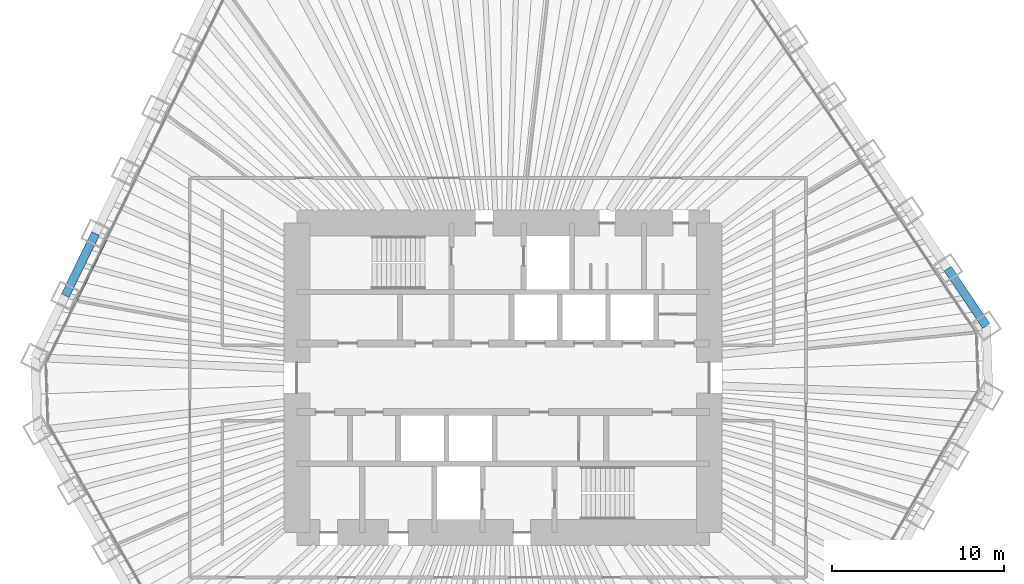
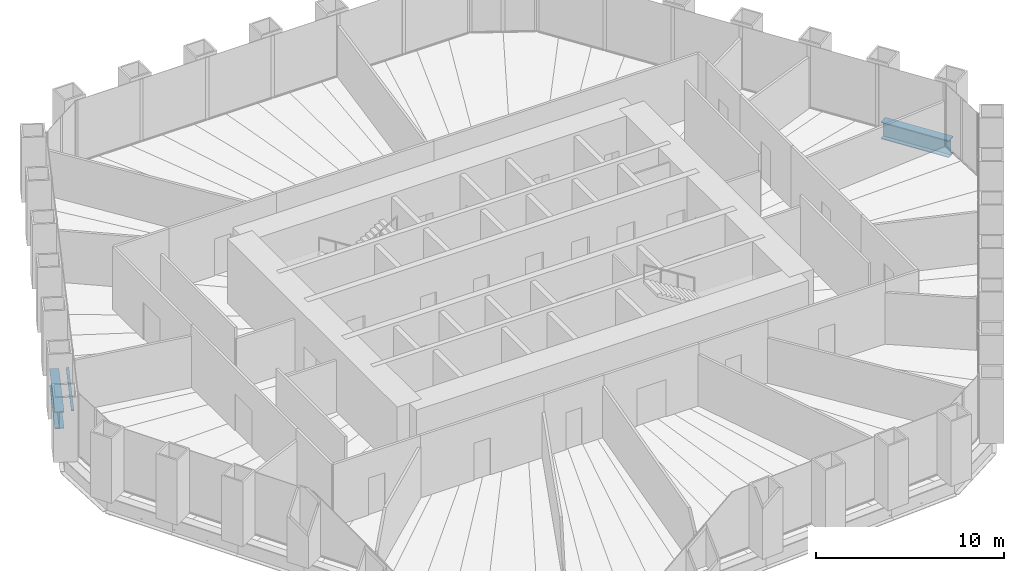
# One storey, part 5 of 13: 2 beams, 1 member, 1 element without a shape of its own.
"""IFC4 building model written with IfcOpenShell, lengths in metres."""

from ifc_helpers import new_model, si_unit, direction, frame, origin, origin_2d, place, context, subcontext, project, spatial, rectangle, i_section, extrude, material, material_profile, profile_set, type_object, element, aggregate, save


model = new_model("IFC4")

# Units and contexts
model_context = context("Model", 3, precision=1e-05, world=origin(), true_north=direction((0.0, 1.0)))
body_context = subcontext(model_context, "Body", "Model", "MODEL_VIEW")
ifc_project = project(units=[si_unit("LENGTHUNIT", "METRE"), si_unit("AREAUNIT", "SQUARE_METRE"), si_unit("VOLUMEUNIT", "CUBIC_METRE"), si_unit("PLANEANGLEUNIT", "RADIAN"), si_unit("MASSUNIT", "GRAM", prefix="KILO")], contexts=[model_context])

# Site, building, storey
site_placement = place(None, origin())
site = spatial("IfcSite", under=ifc_project, at=site_placement, CompositionType="ELEMENT")
building_placement = place(site_placement, origin())
building = spatial("IfcBuilding", under=site, at=building_placement, Name="Qingtian Harvest Tower", CompositionType="ELEMENT")
storey_placement = place(building_placement, frame((0.0, 0.0, 128.199951171875)))
storey = spatial("IfcBuildingStorey", under=building, at=storey_placement, Name="L26", CompositionType="ELEMENT", Elevation=128.199951171875)

# Beams
ifc_material_1 = material(Name="Steel SM570MC", Category="steel")
ifc_material_profile_1 = material_profile(ifc_material_1, i_section(OverallWidth=0.5, OverallDepth=1.10009765625, WebThickness=0.02490234375, FlangeThickness=0.050048828125, at=origin_2d()), Name="H1100x500x25x50")
ifc_profile_set_1 = profile_set([ifc_material_profile_1], Name="Steel SM570MC")
beam_type = type_object("IfcBeamType", Name="Spandrel beam SB2 H1100x500x25x50", PredefinedType="SPANDREL", material=ifc_profile_set_1)
for number, where, z_axis, x_axis, name in (
    (1, (25.8720703125, 6.3505859375, -0.550048828125), (0.55916400171, -0.829057066306, 0.0), (0.829057066306, 0.55916400171, 0.0), "Spandrel SB2 NE5"),
    (2, (-25.483154296875, 4.78125, -0.550048828125), (0.438396105405, 0.89878187274, 0.0), (-0.89878187274, 0.438396105405, 0.0), "Spandrel SB2 NW1"),
):
    element("IfcBeam", number, at=place(storey_placement, frame(where, z_axis=z_axis, x_axis=x_axis)), inside=storey, type_object=beam_type, Name=name, PredefinedType="SPANDREL", context=body_context, shape_type="SweptSolid", body=[
        extrude(i_section(OverallWidth=0.5, OverallDepth=1.10009765625, WebThickness=0.02490234375, FlangeThickness=0.050048828125, at=origin_2d()), origin(), (0.0, 0.0, 1.0), 4.01904296875),
    ])

# Curtain wall, member
ifc_material_2 = material(Name="Bronze-anodised aluminium curtain wall", Category="aluminium")
curtain_wall_type = type_object("IfcCurtainWallType", Name="Curtain wall CW4 office", PredefinedType="USERDEFINED", material=ifc_material_2)
curtain_wall_placement = place(storey_placement, origin())
curtain_wall = element("IfcCurtainWall", 3, at=curtain_wall_placement, inside=storey, type_object=curtain_wall_type, Name="Curtain wall CW4 L26 NW0-5", ObjectType="RECESSED CURTAIN WALL", PredefinedType="USERDEFINED")
ifc_material_3 = material(Name="Bronze-anodised aluminium transom", Category="aluminium")
ifc_material_profile_2 = material_profile(ifc_material_3, rectangle(XDim=0.14990234375, YDim=0.06494140625, at=origin_2d()), Name="AL 65x150")
ifc_profile_set_2 = profile_set([ifc_material_profile_2], Name="Bronze-anodised aluminium transom")
member_type = type_object("IfcMemberType", Name="Transom CWT 65x150", PredefinedType="USERDEFINED", material=ifc_profile_set_2)
member_placement = place(storey_placement, frame((-24.839599609375, 4.503662109375, 0.032470703125), z_axis=(0.438374972828, 0.898792180205, 0.0), x_axis=(-0.898792180205, 0.438374972828, 0.0)))
member = element("IfcMember", 4, at=member_placement, type_object=member_type, Name="CW4 transom 2.1", ObjectType="TRANSOM", PredefinedType="USERDEFINED", context=body_context, shape_type="SweptSolid", body=[
    extrude(rectangle(XDim=0.14990234375, YDim=0.06494140625, at=origin_2d()), origin(), (0.0, 0.0, 1.0), 3.9541015625),
])
aggregate(curtain_wall, [member])

save(model, "model.ifc")
